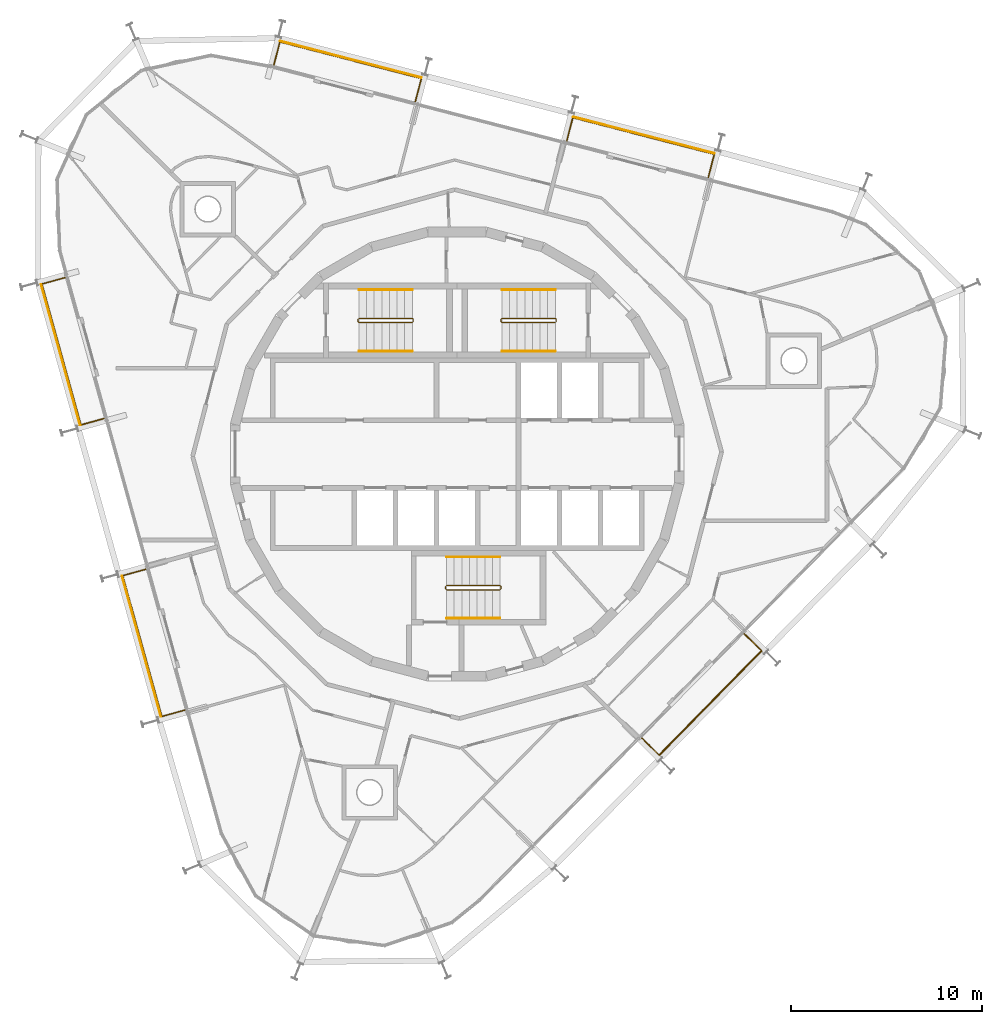
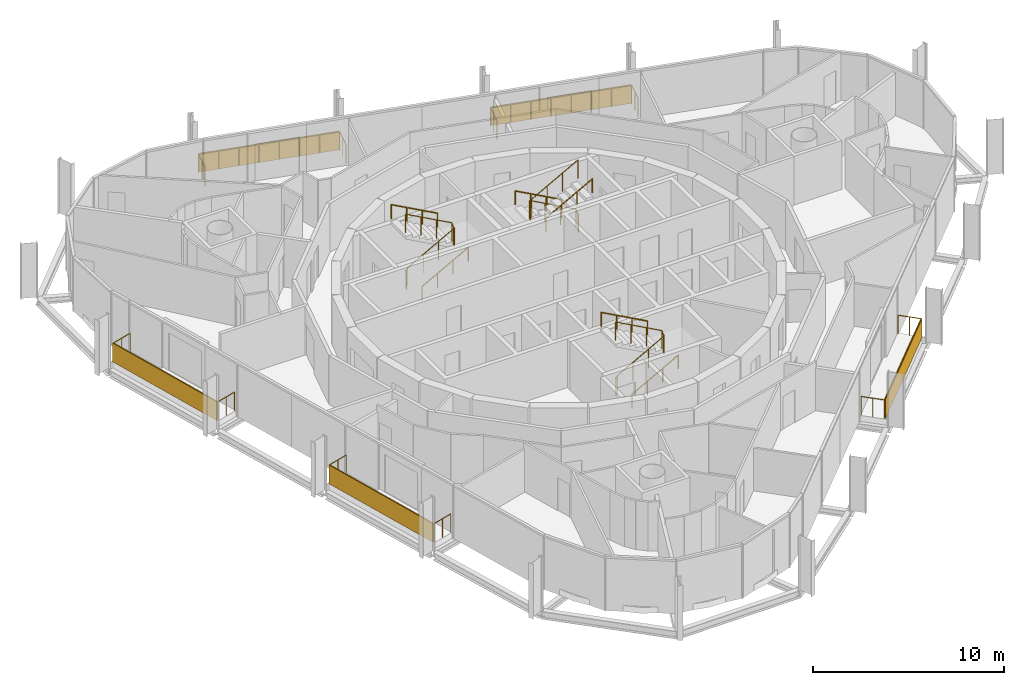
# One storey, part 16 of 16: 14 railings, 5 shading devices.
"""IFC4 building model written with IfcOpenShell, lengths in metres."""

from ifc_helpers import new_model, si_unit, direction, frame, origin, origin_2d, place, context, subcontext, project, spatial, rectangle, circle, extrude, material, layer, layer_set, type_object, element, save


model = new_model("IFC4")

# Units and contexts
model_context = context("Model", 3, precision=1e-05, world=origin(), true_north=direction((0.0, 1.0)))
body_context = subcontext(model_context, "Body", "Model", "MODEL_VIEW")
ifc_project = project(units=[si_unit("LENGTHUNIT", "METRE"), si_unit("AREAUNIT", "SQUARE_METRE"), si_unit("VOLUMEUNIT", "CUBIC_METRE"), si_unit("PLANEANGLEUNIT", "RADIAN"), si_unit("MASSUNIT", "GRAM", prefix="KILO")], contexts=[model_context])

# Site, building, storey
site_placement = place(None, origin())
site = spatial("IfcSite", under=ifc_project, at=site_placement, CompositionType="ELEMENT")
building_placement = place(site_placement, origin())
building = spatial("IfcBuilding", under=site, at=building_placement, Name="Spindle Arch Residences", CompositionType="ELEMENT")
storey_placement = place(building_placement, frame((0.0, 0.0, 301.699951171875)))
storey = spatial("IfcBuildingStorey", under=building, at=storey_placement, Name="L77", CompositionType="ELEMENT", Elevation=301.699951171875)

# Railings
ifc_material_1 = material(Name="Bronze anodised aluminium guard with glass infill", Category="aluminium")
railing_type_1 = type_object("IfcRailingType", Name="Balcony guard 1200", PredefinedType="GUARDRAIL", material=ifc_material_1)
railing_1_placement = place(storey_placement, frame((13.17724609375, 14.517822265625, 0.0)))
element("IfcRailing", 1, at=railing_1_placement, inside=storey, type_object=railing_type_1, Name="Guard L77 bay 6", PredefinedType="GUARDRAIL", context=body_context, shape_type="SweptSolid", body=[
    extrude(circle(Radius=0.02392578125, at=origin_2d()), frame((0.0, 0.0, 1.17578125), z_axis=(0.250385978254, 0.968146095325, 0.0), x_axis=(-0.968146095325, 0.250385978254, 0.0)), (0.0, 0.0, 1.0), 1.25),
    extrude(circle(Radius=0.02392578125, at=origin_2d()), frame((0.31298828125, 1.210205078125, 1.17578125), z_axis=(-0.968154898372, 0.250351937795, 0.0), x_axis=(-0.250351937795, -0.968154898372, 0.0)), (0.0, 0.0, 1.0), 7.6650390625),
    extrude(circle(Radius=0.02392578125, at=origin_2d()), frame((-7.10791015625, 3.129150390625, 1.17578125), z_axis=(-0.250433331774, -0.968133847325, 0.0), x_axis=(0.968133847325, -0.250433331774, 0.0)), (0.0, 0.0, 1.0), 1.249755859375),
    extrude(circle(Radius=0.02099609375, at=origin_2d()), origin(), (0.0, 0.0, 1.0), 1.15185546875),
    extrude(circle(Radius=0.02099609375, at=origin_2d()), frame((0.156494140625, 0.60498046875, 0.0)), (0.0, 0.0, 1.0), 1.15185546875),
    extrude(circle(Radius=0.02099609375, at=origin_2d()), frame((0.31298828125, 1.210205078125, 0.0)), (0.0, 0.0, 1.0), 1.15185546875),
    extrude(circle(Radius=0.02099609375, at=origin_2d()), frame((-0.7470703125, 1.484375, 0.0)), (0.0, 0.0, 1.0), 1.15185546875),
    extrude(circle(Radius=0.02099609375, at=origin_2d()), frame((-1.807373046875, 1.758544921875, 0.0)), (0.0, 0.0, 1.0), 1.15185546875),
    extrude(circle(Radius=0.02099609375, at=origin_2d()), frame((-2.867431640625, 2.03271484375, 0.0)), (0.0, 0.0, 1.0), 1.15185546875),
    extrude(circle(Radius=0.02099609375, at=origin_2d()), frame((-3.927490234375, 2.306640625, 0.0)), (0.0, 0.0, 1.0), 1.15185546875),
    extrude(circle(Radius=0.02099609375, at=origin_2d()), frame((-4.987548828125, 2.580810546875, 0.0)), (0.0, 0.0, 1.0), 1.15185546875),
    extrude(circle(Radius=0.02099609375, at=origin_2d()), frame((-6.0478515625, 2.85498046875, 0.0)), (0.0, 0.0, 1.0), 1.15185546875),
    extrude(circle(Radius=0.02099609375, at=origin_2d()), frame((-7.10791015625, 3.129150390625, 0.0)), (0.0, 0.0, 1.0), 1.15185546875),
    extrude(circle(Radius=0.02099609375, at=origin_2d()), frame((-7.264404296875, 2.524169921875, 0.0)), (0.0, 0.0, 1.0), 1.15185546875),
    extrude(circle(Radius=0.02099609375, at=origin_2d()), frame((-7.4208984375, 1.919189453125, 0.0)), (0.0, 0.0, 1.0), 1.15185546875),
])
railing_2_placement = place(storey_placement, frame((-2.1875, 18.4912109375, 0.0)))
element("IfcRailing", 2, at=railing_2_placement, inside=storey, type_object=railing_type_1, Name="Guard L77 bay 8", PredefinedType="GUARDRAIL", context=body_context, shape_type="SweptSolid", body=[
    extrude(circle(Radius=0.02392578125, at=origin_2d()), frame((0.0, 0.0, 1.17578125), z_axis=(0.250385978254, 0.968146095325, 0.0), x_axis=(-0.968146095325, 0.250385978254, 0.0)), (0.0, 0.0, 1.0), 1.25),
    extrude(circle(Radius=0.02392578125, at=origin_2d()), frame((0.31298828125, 1.210205078125, 1.17578125), z_axis=(-0.968147177851, 0.250381792508, 0.0), x_axis=(-0.250381792508, -0.968147177851, 0.0)), (0.0, 0.0, 1.0), 7.6650390625),
    extrude(circle(Radius=0.02392578125, at=origin_2d()), frame((-7.10791015625, 3.12939453125, 1.17578125), z_axis=(-0.250385978254, -0.968146095325, 0.0), x_axis=(0.968146095325, -0.250385978254, 0.0)), (0.0, 0.0, 1.0), 1.25),
    extrude(circle(Radius=0.02099609375, at=origin_2d()), origin(), (0.0, 0.0, 1.0), 1.15185546875),
    extrude(circle(Radius=0.02099609375, at=origin_2d()), frame((0.156494140625, 0.60498046875, 0.0)), (0.0, 0.0, 1.0), 1.15185546875),
    extrude(circle(Radius=0.02099609375, at=origin_2d()), frame((0.31298828125, 1.210205078125, 0.0)), (0.0, 0.0, 1.0), 1.15185546875),
    extrude(circle(Radius=0.02099609375, at=origin_2d()), frame((-0.7470703125, 1.484375, 0.0)), (0.0, 0.0, 1.0), 1.15185546875),
    extrude(circle(Radius=0.02099609375, at=origin_2d()), frame((-1.807373046875, 1.758544921875, 0.0)), (0.0, 0.0, 1.0), 1.15185546875),
    extrude(circle(Radius=0.02099609375, at=origin_2d()), frame((-2.867431640625, 2.03271484375, 0.0)), (0.0, 0.0, 1.0), 1.15185546875),
    extrude(circle(Radius=0.02099609375, at=origin_2d()), frame((-3.927490234375, 2.306884765625, 0.0)), (0.0, 0.0, 1.0), 1.15185546875),
    extrude(circle(Radius=0.02099609375, at=origin_2d()), frame((-4.987548828125, 2.5810546875, 0.0)), (0.0, 0.0, 1.0), 1.15185546875),
    extrude(circle(Radius=0.02099609375, at=origin_2d()), frame((-6.0478515625, 2.855224609375, 0.0)), (0.0, 0.0, 1.0), 1.15185546875),
    extrude(circle(Radius=0.02099609375, at=origin_2d()), frame((-7.10791015625, 3.12939453125, 0.0)), (0.0, 0.0, 1.0), 1.15185546875),
    extrude(circle(Radius=0.02099609375, at=origin_2d()), frame((-7.264404296875, 2.5244140625, 0.0)), (0.0, 0.0, 1.0), 1.15185546875),
    extrude(circle(Radius=0.02099609375, at=origin_2d()), frame((-7.4208984375, 1.919189453125, 0.0)), (0.0, 0.0, 1.0), 1.15185546875),
])
railing_3_placement = place(storey_placement, frame((-20.574951171875, 9.250732421875, 0.0)))
element("IfcRailing", 3, at=railing_3_placement, inside=storey, type_object=railing_type_1, Name="Guard L77 bay 12", PredefinedType="GUARDRAIL", context=body_context, shape_type="SweptSolid", body=[
    extrude(circle(Radius=0.02392578125, at=origin_2d()), frame((0.0, 0.0, 1.17578125), z_axis=(-0.963596211055, -0.267361818592, 0.0), x_axis=(0.267361818592, -0.963596211055, 0.0)), (0.0, 0.0, 1.0), 1.25),
    extrude(circle(Radius=0.02392578125, at=origin_2d()), frame((-1.20458984375, -0.334228515625, 1.17578125), z_axis=(0.267233148219, -0.963631903007, 0.0), x_axis=(0.963631903007, 0.267233148219, 0.0)), (0.0, 0.0, 1.0), 7.6650390625),
    extrude(circle(Radius=0.02392578125, at=origin_2d()), frame((0.84375, -7.720458984375, 1.17578125), z_axis=(0.963646510798, 0.267180467526, 0.0), x_axis=(-0.267180467526, 0.963646510798, 0.0)), (0.0, 0.0, 1.0), 1.25),
    extrude(circle(Radius=0.02099609375, at=origin_2d()), origin(), (0.0, 0.0, 1.0), 1.15185546875),
    extrude(circle(Radius=0.02099609375, at=origin_2d()), frame((-0.602294921875, -0.1669921875, 0.0)), (0.0, 0.0, 1.0), 1.15185546875),
    extrude(circle(Radius=0.02099609375, at=origin_2d()), frame((-1.20458984375, -0.334228515625, 0.0)), (0.0, 0.0, 1.0), 1.15185546875),
    extrude(circle(Radius=0.02099609375, at=origin_2d()), frame((-0.911865234375, -1.389404296875, 0.0)), (0.0, 0.0, 1.0), 1.15185546875),
    extrude(circle(Radius=0.02099609375, at=origin_2d()), frame((-0.619384765625, -2.444580078125, 0.0)), (0.0, 0.0, 1.0), 1.15185546875),
    extrude(circle(Radius=0.02099609375, at=origin_2d()), frame((-0.32666015625, -3.499755859375, 0.0)), (0.0, 0.0, 1.0), 1.15185546875),
    extrude(circle(Radius=0.02099609375, at=origin_2d()), frame((-0.0341796875, -4.554931640625, 0.0)), (0.0, 0.0, 1.0), 1.15185546875),
    extrude(circle(Radius=0.02099609375, at=origin_2d()), frame((0.258544921875, -5.610107421875, 0.0)), (0.0, 0.0, 1.0), 1.15185546875),
    extrude(circle(Radius=0.02099609375, at=origin_2d()), frame((0.551025390625, -6.665283203125, 0.0)), (0.0, 0.0, 1.0), 1.15185546875),
    extrude(circle(Radius=0.02099609375, at=origin_2d()), frame((0.84375, -7.720458984375, 0.0)), (0.0, 0.0, 1.0), 1.15185546875),
    extrude(circle(Radius=0.02099609375, at=origin_2d()), frame((1.446044921875, -7.553466796875, 0.0)), (0.0, 0.0, 1.0), 1.15185546875),
    extrude(circle(Radius=0.02099609375, at=origin_2d()), frame((2.04833984375, -7.386474609375, 0.0)), (0.0, 0.0, 1.0), 1.15185546875),
])
railing_4_placement = place(storey_placement, frame((-16.333984375, -6.042236328125, 0.0)))
element("IfcRailing", 4, at=railing_4_placement, inside=storey, type_object=railing_type_1, Name="Guard L77 bay 14", PredefinedType="GUARDRAIL", context=body_context, shape_type="SweptSolid", body=[
    extrude(circle(Radius=0.02392578125, at=origin_2d()), frame((0.0, 0.0, 1.17578125), z_axis=(-0.963596211055, -0.267361818592, 0.0), x_axis=(0.267361818592, -0.963596211055, 0.0)), (0.0, 0.0, 1.0), 1.25),
    extrude(circle(Radius=0.02392578125, at=origin_2d()), frame((-1.20458984375, -0.334228515625, 1.17578125), z_axis=(0.267262724609, -0.963623700432, 0.0), x_axis=(0.963623700432, 0.267262724609, 0.0)), (0.0, 0.0, 1.0), 7.6650390625),
    extrude(circle(Radius=0.02392578125, at=origin_2d()), frame((0.843994140625, -7.720458984375, 1.17578125), z_axis=(0.963632564766, 0.26723076193, 0.0), x_axis=(-0.26723076193, 0.963632564766, 0.0)), (0.0, 0.0, 1.0), 1.249755859375),
    extrude(circle(Radius=0.02099609375, at=origin_2d()), origin(), (0.0, 0.0, 1.0), 1.15185546875),
    extrude(circle(Radius=0.02099609375, at=origin_2d()), frame((-0.602294921875, -0.1669921875, 0.0)), (0.0, 0.0, 1.0), 1.15185546875),
    extrude(circle(Radius=0.02099609375, at=origin_2d()), frame((-1.20458984375, -0.334228515625, 0.0)), (0.0, 0.0, 1.0), 1.15185546875),
    extrude(circle(Radius=0.02099609375, at=origin_2d()), frame((-0.911865234375, -1.389404296875, 0.0)), (0.0, 0.0, 1.0), 1.15185546875),
    extrude(circle(Radius=0.02099609375, at=origin_2d()), frame((-0.619384765625, -2.444580078125, 0.0)), (0.0, 0.0, 1.0), 1.15185546875),
    extrude(circle(Radius=0.02099609375, at=origin_2d()), frame((-0.32666015625, -3.499755859375, 0.0)), (0.0, 0.0, 1.0), 1.15185546875),
    extrude(circle(Radius=0.02099609375, at=origin_2d()), frame((-0.033935546875, -4.554931640625, 0.0)), (0.0, 0.0, 1.0), 1.15185546875),
    extrude(circle(Radius=0.02099609375, at=origin_2d()), frame((0.2587890625, -5.610107421875, 0.0)), (0.0, 0.0, 1.0), 1.15185546875),
    extrude(circle(Radius=0.02099609375, at=origin_2d()), frame((0.55126953125, -6.665283203125, 0.0)), (0.0, 0.0, 1.0), 1.15185546875),
    extrude(circle(Radius=0.02099609375, at=origin_2d()), frame((0.843994140625, -7.720458984375, 0.0)), (0.0, 0.0, 1.0), 1.15185546875),
    extrude(circle(Radius=0.02099609375, at=origin_2d()), frame((1.4462890625, -7.553466796875, 0.0)), (0.0, 0.0, 1.0), 1.15185546875),
    extrude(circle(Radius=0.02099609375, at=origin_2d()), frame((2.04833984375, -7.386474609375, 0.0)), (0.0, 0.0, 1.0), 1.15185546875),
])
railing_5_placement = place(storey_placement, frame((9.69189453125, -14.8974609375, 0.0)))
element("IfcRailing", 5, at=railing_5_placement, inside=storey, type_object=railing_type_1, Name="Guard L77 bay 20", PredefinedType="GUARDRAIL", context=body_context, shape_type="SweptSolid", body=[
    extrude(circle(Radius=0.02392578125, at=origin_2d()), frame((0.0, 0.0, 1.17578125), z_axis=(0.713231937859, -0.700928101034, 0.0), x_axis=(0.700928101034, 0.713231937859, 0.0)), (0.0, 0.0, 1.0), 1.25),
    extrude(circle(Radius=0.02392578125, at=origin_2d()), frame((0.8916015625, -0.876220703125, 1.17578125), z_axis=(0.700916720912, 0.713243121485, 0.0), x_axis=(-0.713243121485, 0.700916720912, 0.0)), (0.0, 0.0, 1.0), 7.6650390625),
    extrude(circle(Radius=0.02392578125, at=origin_2d()), frame((6.26416015625, 4.5908203125, 1.17578125), z_axis=(-0.713231937859, 0.700928101034, 0.0), x_axis=(-0.700928101034, -0.713231937859, 0.0)), (0.0, 0.0, 1.0), 1.25),
    extrude(circle(Radius=0.02099609375, at=origin_2d()), origin(), (0.0, 0.0, 1.0), 1.15185546875),
    extrude(circle(Radius=0.02099609375, at=origin_2d()), frame((0.44580078125, -0.43798828125, 0.0)), (0.0, 0.0, 1.0), 1.15185546875),
    extrude(circle(Radius=0.02099609375, at=origin_2d()), frame((0.8916015625, -0.876220703125, 0.0)), (0.0, 0.0, 1.0), 1.15185546875),
    extrude(circle(Radius=0.02099609375, at=origin_2d()), frame((1.6591796875, -0.09521484375, 0.0)), (0.0, 0.0, 1.0), 1.15185546875),
    extrude(circle(Radius=0.02099609375, at=origin_2d()), frame((2.426513671875, 0.685791015625, 0.0)), (0.0, 0.0, 1.0), 1.15185546875),
    extrude(circle(Radius=0.02099609375, at=origin_2d()), frame((3.194091796875, 1.466796875, 0.0)), (0.0, 0.0, 1.0), 1.15185546875),
    extrude(circle(Radius=0.02099609375, at=origin_2d()), frame((3.961669921875, 2.247802734375, 0.0)), (0.0, 0.0, 1.0), 1.15185546875),
    extrude(circle(Radius=0.02099609375, at=origin_2d()), frame((4.729248046875, 3.02880859375, 0.0)), (0.0, 0.0, 1.0), 1.15185546875),
    extrude(circle(Radius=0.02099609375, at=origin_2d()), frame((5.49658203125, 3.809814453125, 0.0)), (0.0, 0.0, 1.0), 1.15185546875),
    extrude(circle(Radius=0.02099609375, at=origin_2d()), frame((6.26416015625, 4.5908203125, 0.0)), (0.0, 0.0, 1.0), 1.15185546875),
    extrude(circle(Radius=0.02099609375, at=origin_2d()), frame((5.818359375, 5.02880859375, 0.0)), (0.0, 0.0, 1.0), 1.15185546875),
    extrude(circle(Radius=0.02099609375, at=origin_2d()), frame((5.37255859375, 5.467041015625, 0.0)), (0.0, 0.0, 1.0), 1.15185546875),
])

# Shading devices
ifc_material_2 = material(Name="Bronze perforated cobogo screen")
ifc_layer = layer(ifc_material_2, 0.0390625)
ifc_layer_set = layer_set([ifc_layer], Name="Cobogo screen 1200")
shading_device_type = type_object("IfcShadingDeviceType", Name="Cobogo screen 1200", PredefinedType="USERDEFINED", material=ifc_layer_set)
for number, where, z_axis, x_axis, name in (
    (6, (9.7900390625, 16.726806640625, 0.0), (0.0, 0.0, 1.0), (-0.968147640378, 0.250380004054, 0.0), "Cobogo screen L77 bay 6"),
    (7, (-5.57470703125, 20.7001953125, 0.0), (0.0, 0.0, 1.0), (-0.968147640378, 0.250380004054, 0.0), "Cobogo screen L77 bay 8"),
    (8, (-20.79443359375, 5.212646484375, 0.0), (0.0, 0.0, 1.0), (0.267238376078, -0.963630453209, 0.0), "Cobogo screen L77 bay 12"),
    (9, (-16.55322265625, -10.080322265625, 0.0), (0.0, 0.0, 1.0), (0.267238376078, -0.963630453209, 0.0), "Cobogo screen L77 bay 14"),
    (10, (13.298583984375, -13.068603515625, 0.0), (0.0, 0.0, 1.0), (0.7009092643, 0.713250449154, 0.0), "Cobogo screen L77 bay 20"),
):
    element("IfcShadingDevice", number, at=place(storey_placement, frame(where, z_axis=z_axis, x_axis=x_axis)), inside=storey, type_object=shading_device_type, Name=name, ObjectType="SCREEN", PredefinedType="USERDEFINED", context=body_context, shape_type="SweptSolid", body=[
        extrude(rectangle(XDim=7.6650390625, YDim=0.0390625, at=origin_2d()), origin(), (0.0, 0.0, 1.0), 1.199951171875),
    ])

# Railings
ifc_material_3 = material(Name="Steel, painted", Category="steel")
railing_type_2 = type_object("IfcRailingType", Name="Stair guard 1100", PredefinedType="GUARDRAIL", material=ifc_material_3)
railing_6_placement = place(storey_placement, frame((5.14990234375, 6.89990234375, 3.5)))
element("IfcRailing", 11, at=railing_6_placement, inside=storey, type_object=railing_type_2, Name="L77 ST1 stair guard 1", PredefinedType="GUARDRAIL", context=body_context, shape_type="SweptSolid", body=[
    extrude(circle(Radius=0.02392578125, at=origin_2d()), frame((0.0, 0.0, 1.17578125), z_axis=(-0.877357048833, 0.0, -0.479838106931), x_axis=(0.0, -1.0, 0.0)), (0.0, 0.0, 1.0), 3.191162109375),
    extrude(circle(Radius=0.02392578125, at=origin_2d()), frame((-2.7998046875, 0.0, -0.35546875), z_axis=(-0.217683172539, 0.217683172539, -0.951434744366), x_axis=(-0.707106781187, -0.707106781187, 0.0)), (0.0, 0.0, 1.0), 0.22998046875),
    extrude(circle(Radius=0.02392578125, at=origin_2d()), frame((-2.849853515625, 0.050048828125, -0.57421875), z_axis=(0.0, 1.0, 0.0), x_axis=(-1.0, 0.0, 0.0)), (0.0, 0.0, 1.0), 0.1201171875),
    extrude(circle(Radius=0.02392578125, at=origin_2d()), frame((-2.849853515625, 0.170166015625, -0.57421875), z_axis=(0.707106781187, 0.707106781187, 0.0), x_axis=(-0.707106781187, 0.707106781187, 0.0)), (0.0, 0.0, 1.0), 0.07080078125),
    extrude(circle(Radius=0.02392578125, at=origin_2d()), frame((-2.7998046875, 0.22021484375, -0.57421875), z_axis=(0.877357048833, 0.0, -0.479838106931), x_axis=(0.0, 1.0, 0.0)), (0.0, 0.0, 1.0), 3.191162109375),
    extrude(circle(Radius=0.02392578125, at=origin_2d()), frame((0.0, 0.22021484375, -2.10546875), z_axis=(0.217683172539, -0.217683172539, -0.951434744366), x_axis=(0.707106781187, 0.707106781187, 0.0)), (0.0, 0.0, 1.0), 0.22998046875),
    extrude(circle(Radius=0.02392578125, at=origin_2d()), frame((0.050048828125, 0.170166015625, -2.32421875), z_axis=(0.0, -1.0, 0.0), x_axis=(1.0, 0.0, 0.0)), (0.0, 0.0, 1.0), 0.1201171875),
    extrude(circle(Radius=0.02099609375, at=origin_2d()), origin(), (0.0, 0.0, 1.0), 1.15185546875),
    extrude(circle(Radius=0.02099609375, at=origin_2d()), frame((-0.933349609375, 0.0, -0.510498046875)), (0.0, 0.0, 1.0), 1.15185546875),
    extrude(circle(Radius=0.02099609375, at=origin_2d()), frame((-1.866455078125, 0.0, -1.020751953125)), (0.0, 0.0, 1.0), 1.15185546875),
    extrude(circle(Radius=0.02099609375, at=origin_2d()), frame((-2.7998046875, 0.0, -1.53125)), (0.0, 0.0, 1.0), 1.15185546875),
    extrude(circle(Radius=0.02099609375, at=origin_2d()), frame((-2.849853515625, 0.050048828125, -1.75)), (0.0, 0.0, 1.0), 1.15185546875),
    extrude(circle(Radius=0.02099609375, at=origin_2d()), frame((-2.849853515625, 0.170166015625, -1.75)), (0.0, 0.0, 1.0), 1.15185546875),
    extrude(circle(Radius=0.02099609375, at=origin_2d()), frame((-2.7998046875, 0.22021484375, -1.75)), (0.0, 0.0, 1.0), 1.15185546875),
    extrude(circle(Radius=0.02099609375, at=origin_2d()), frame((-1.866455078125, 0.22021484375, -2.260498046875)), (0.0, 0.0, 1.0), 1.15185546875),
    extrude(circle(Radius=0.02099609375, at=origin_2d()), frame((-0.933349609375, 0.22021484375, -2.770751953125)), (0.0, 0.0, 1.0), 1.15185546875),
    extrude(circle(Radius=0.02099609375, at=origin_2d()), frame((0.0, 0.22021484375, -3.28125)), (0.0, 0.0, 1.0), 1.15185546875),
    extrude(circle(Radius=0.02099609375, at=origin_2d()), frame((0.050048828125, 0.170166015625, -3.5)), (0.0, 0.0, 1.0), 1.15185546875),
    extrude(circle(Radius=0.02099609375, at=origin_2d()), frame((0.050048828125, 0.050048828125, -3.5)), (0.0, 0.0, 1.0), 1.15185546875),
])
railing_7_placement = place(storey_placement, frame((-5.14990234375, 7.1201171875, 3.5)))
element("IfcRailing", 12, at=railing_7_placement, inside=storey, type_object=railing_type_2, Name="L77 ST2 stair guard 1", PredefinedType="GUARDRAIL", context=body_context, shape_type="SweptSolid", body=[
    extrude(circle(Radius=0.02392578125, at=origin_2d()), frame((0.0, 0.0, 1.17578125), z_axis=(0.877357048833, 0.0, -0.479838106931), x_axis=(0.0, 1.0, 0.0)), (0.0, 0.0, 1.0), 3.191162109375),
    extrude(circle(Radius=0.02392578125, at=origin_2d()), frame((2.7998046875, 0.0, -0.35546875), z_axis=(0.217683172539, -0.217683172539, -0.951434744366), x_axis=(0.707106781187, 0.707106781187, 0.0)), (0.0, 0.0, 1.0), 0.22998046875),
    extrude(circle(Radius=0.02392578125, at=origin_2d()), frame((2.849853515625, -0.050048828125, -0.57421875), z_axis=(0.0, -1.0, 0.0), x_axis=(1.0, 0.0, 0.0)), (0.0, 0.0, 1.0), 0.1201171875),
    extrude(circle(Radius=0.02392578125, at=origin_2d()), frame((2.849853515625, -0.170166015625, -0.57421875), z_axis=(-0.707106781187, -0.707106781187, 0.0), x_axis=(0.707106781187, -0.707106781187, 0.0)), (0.0, 0.0, 1.0), 0.07080078125),
    extrude(circle(Radius=0.02392578125, at=origin_2d()), frame((2.7998046875, -0.22021484375, -0.57421875), z_axis=(-0.877357048833, 0.0, -0.479838106931), x_axis=(0.0, -1.0, 0.0)), (0.0, 0.0, 1.0), 3.191162109375),
    extrude(circle(Radius=0.02392578125, at=origin_2d()), frame((0.0, -0.22021484375, -2.10546875), z_axis=(-0.217683172539, 0.217683172539, -0.951434744366), x_axis=(-0.707106781187, -0.707106781187, 0.0)), (0.0, 0.0, 1.0), 0.22998046875),
    extrude(circle(Radius=0.02392578125, at=origin_2d()), frame((-0.050048828125, -0.170166015625, -2.32421875), z_axis=(0.0, 1.0, 0.0), x_axis=(-1.0, 0.0, 0.0)), (0.0, 0.0, 1.0), 0.1201171875),
    extrude(circle(Radius=0.02099609375, at=origin_2d()), origin(), (0.0, 0.0, 1.0), 1.15185546875),
    extrude(circle(Radius=0.02099609375, at=origin_2d()), frame((0.933349609375, 0.0, -0.510498046875)), (0.0, 0.0, 1.0), 1.15185546875),
    extrude(circle(Radius=0.02099609375, at=origin_2d()), frame((1.866455078125, 0.0, -1.020751953125)), (0.0, 0.0, 1.0), 1.15185546875),
    extrude(circle(Radius=0.02099609375, at=origin_2d()), frame((2.7998046875, 0.0, -1.53125)), (0.0, 0.0, 1.0), 1.15185546875),
    extrude(circle(Radius=0.02099609375, at=origin_2d()), frame((2.849853515625, -0.050048828125, -1.75)), (0.0, 0.0, 1.0), 1.15185546875),
    extrude(circle(Radius=0.02099609375, at=origin_2d()), frame((2.849853515625, -0.170166015625, -1.75)), (0.0, 0.0, 1.0), 1.15185546875),
    extrude(circle(Radius=0.02099609375, at=origin_2d()), frame((2.7998046875, -0.22021484375, -1.75)), (0.0, 0.0, 1.0), 1.15185546875),
    extrude(circle(Radius=0.02099609375, at=origin_2d()), frame((1.866455078125, -0.22021484375, -2.260498046875)), (0.0, 0.0, 1.0), 1.15185546875),
    extrude(circle(Radius=0.02099609375, at=origin_2d()), frame((0.933349609375, -0.22021484375, -2.770751953125)), (0.0, 0.0, 1.0), 1.15185546875),
    extrude(circle(Radius=0.02099609375, at=origin_2d()), frame((0.0, -0.22021484375, -3.28125)), (0.0, 0.0, 1.0), 1.15185546875),
    extrude(circle(Radius=0.02099609375, at=origin_2d()), frame((-0.050048828125, -0.170166015625, -3.5)), (0.0, 0.0, 1.0), 1.15185546875),
    extrude(circle(Radius=0.02099609375, at=origin_2d()), frame((-0.050048828125, -0.050048828125, -3.5)), (0.0, 0.0, 1.0), 1.15185546875),
])
railing_8_placement = place(storey_placement, frame((-0.550048828125, -6.89990234375, 3.5)))
element("IfcRailing", 13, at=railing_8_placement, inside=storey, type_object=railing_type_2, Name="L77 ST3 stair guard 1", PredefinedType="GUARDRAIL", context=body_context, shape_type="SweptSolid", body=[
    extrude(circle(Radius=0.02392578125, at=origin_2d()), frame((0.0, 0.0, 1.17578125), z_axis=(0.877374661878, 0.0, -0.479805901063), x_axis=(0.0, 1.0, 0.0)), (0.0, 0.0, 1.0), 3.19140625),
    extrude(circle(Radius=0.02392578125, at=origin_2d()), frame((2.800048828125, 0.0, -0.35546875), z_axis=(0.217683172539, -0.217683172539, -0.951434744366), x_axis=(0.707106781187, 0.707106781187, 0.0)), (0.0, 0.0, 1.0), 0.22998046875),
    extrude(circle(Radius=0.02392578125, at=origin_2d()), frame((2.85009765625, -0.050048828125, -0.57421875), z_axis=(0.0, -1.0, 0.0), x_axis=(1.0, 0.0, 0.0)), (0.0, 0.0, 1.0), 0.1201171875),
    extrude(circle(Radius=0.02392578125, at=origin_2d()), frame((2.85009765625, -0.170166015625, -0.57421875), z_axis=(-0.707106781187, -0.707106781187, 0.0), x_axis=(0.707106781187, -0.707106781187, 0.0)), (0.0, 0.0, 1.0), 0.07080078125),
    extrude(circle(Radius=0.02392578125, at=origin_2d()), frame((2.800048828125, -0.22021484375, -0.57421875), z_axis=(-0.877374661878, 0.0, -0.479805901063), x_axis=(0.0, -1.0, 0.0)), (0.0, 0.0, 1.0), 3.19140625),
    extrude(circle(Radius=0.02392578125, at=origin_2d()), frame((0.0, -0.22021484375, -2.10546875), z_axis=(-0.217683172539, 0.217683172539, -0.951434744366), x_axis=(-0.707106781187, -0.707106781187, 0.0)), (0.0, 0.0, 1.0), 0.22998046875),
    extrude(circle(Radius=0.02392578125, at=origin_2d()), frame((-0.050048828125, -0.170166015625, -2.32421875), z_axis=(0.0, 1.0, 0.0), x_axis=(-1.0, 0.0, 0.0)), (0.0, 0.0, 1.0), 0.1201171875),
    extrude(circle(Radius=0.02099609375, at=origin_2d()), origin(), (0.0, 0.0, 1.0), 1.15185546875),
    extrude(circle(Radius=0.02099609375, at=origin_2d()), frame((0.933349609375, 0.0, -0.510498046875)), (0.0, 0.0, 1.0), 1.15185546875),
    extrude(circle(Radius=0.02099609375, at=origin_2d()), frame((1.86669921875, 0.0, -1.020751953125)), (0.0, 0.0, 1.0), 1.15185546875),
    extrude(circle(Radius=0.02099609375, at=origin_2d()), frame((2.800048828125, 0.0, -1.53125)), (0.0, 0.0, 1.0), 1.15185546875),
    extrude(circle(Radius=0.02099609375, at=origin_2d()), frame((2.85009765625, -0.050048828125, -1.75)), (0.0, 0.0, 1.0), 1.15185546875),
    extrude(circle(Radius=0.02099609375, at=origin_2d()), frame((2.85009765625, -0.170166015625, -1.75)), (0.0, 0.0, 1.0), 1.15185546875),
    extrude(circle(Radius=0.02099609375, at=origin_2d()), frame((2.800048828125, -0.22021484375, -1.75)), (0.0, 0.0, 1.0), 1.15185546875),
    extrude(circle(Radius=0.02099609375, at=origin_2d()), frame((1.86669921875, -0.22021484375, -2.260498046875)), (0.0, 0.0, 1.0), 1.15185546875),
    extrude(circle(Radius=0.02099609375, at=origin_2d()), frame((0.933349609375, -0.22021484375, -2.770751953125)), (0.0, 0.0, 1.0), 1.15185546875),
    extrude(circle(Radius=0.02099609375, at=origin_2d()), frame((0.0, -0.22021484375, -3.28125)), (0.0, 0.0, 1.0), 1.15185546875),
    extrude(circle(Radius=0.02099609375, at=origin_2d()), frame((-0.050048828125, -0.170166015625, -3.5)), (0.0, 0.0, 1.0), 1.15185546875),
    extrude(circle(Radius=0.02099609375, at=origin_2d()), frame((-0.050048828125, -0.050048828125, -3.5)), (0.0, 0.0, 1.0), 1.15185546875),
])
ifc_material_4 = material(Name="Steel, painted", Category="steel")
railing_type_3 = type_object("IfcRailingType", Name="Stair handrail 900", PredefinedType="HANDRAIL", material=ifc_material_4)
railing_9_placement = place(storey_placement, frame((5.14990234375, 8.6201171875, 0.21875)))
element("IfcRailing", 14, at=railing_9_placement, inside=storey, type_object=railing_type_3, Name="L77 ST1 stair handrail 1", PredefinedType="HANDRAIL", context=body_context, shape_type="SweptSolid", body=[
    extrude(circle(Radius=0.02392578125, at=origin_2d()), frame((0.0, 0.0, 0.8759765625), z_axis=(-0.877357048833, 0.0, 0.479838106931), x_axis=(0.0, -1.0, 0.0)), (0.0, 0.0, 1.0), 3.191162109375),
    extrude(circle(Radius=0.02099609375, at=origin_2d()), origin(), (0.0, 0.0, 1.0), 0.851806640625),
    extrude(circle(Radius=0.02099609375, at=origin_2d()), frame((-0.933349609375, 0.0, 0.510498046875)), (0.0, 0.0, 1.0), 0.851806640625),
    extrude(circle(Radius=0.02099609375, at=origin_2d()), frame((-1.866455078125, 0.0, 1.020751953125)), (0.0, 0.0, 1.0), 0.851806640625),
    extrude(circle(Radius=0.02099609375, at=origin_2d()), frame((-2.7998046875, 0.0, 1.53125)), (0.0, 0.0, 1.0), 0.851806640625),
])
for number, where, name in (
    (15, (2.35009765625, 5.39990234375, 1.96875), "L77 ST1 stair handrail 2"),
    (16, (-5.14990234375, 5.39990234375, 0.21875), "L77 ST2 stair handrail 1"),
):
    element("IfcRailing", number, at=place(storey_placement, frame(where)), inside=storey, type_object=railing_type_3, Name=name, PredefinedType="HANDRAIL", context=body_context, shape_type="SweptSolid", body=[
        extrude(circle(Radius=0.02392578125, at=origin_2d()), frame((0.0, 0.0, 0.8759765625), z_axis=(0.877357048833, 0.0, 0.479838106931), x_axis=(0.0, 1.0, 0.0)), (0.0, 0.0, 1.0), 3.191162109375),
        extrude(circle(Radius=0.02099609375, at=origin_2d()), origin(), (0.0, 0.0, 1.0), 0.851806640625),
        extrude(circle(Radius=0.02099609375, at=origin_2d()), frame((0.933349609375, 0.0, 0.510498046875)), (0.0, 0.0, 1.0), 0.851806640625),
        extrude(circle(Radius=0.02099609375, at=origin_2d()), frame((1.866455078125, 0.0, 1.020751953125)), (0.0, 0.0, 1.0), 0.851806640625),
        extrude(circle(Radius=0.02099609375, at=origin_2d()), frame((2.7998046875, 0.0, 1.53125)), (0.0, 0.0, 1.0), 0.851806640625),
    ])
railing_10_placement = place(storey_placement, frame((-2.35009765625, 8.6201171875, 1.96875)))
element("IfcRailing", 17, at=railing_10_placement, inside=storey, type_object=railing_type_3, Name="L77 ST2 stair handrail 2", PredefinedType="HANDRAIL", context=body_context, shape_type="SweptSolid", body=[
    extrude(circle(Radius=0.02392578125, at=origin_2d()), frame((0.0, 0.0, 0.8759765625), z_axis=(-0.877357048833, 0.0, 0.479838106931), x_axis=(0.0, -1.0, 0.0)), (0.0, 0.0, 1.0), 3.191162109375),
    extrude(circle(Radius=0.02099609375, at=origin_2d()), origin(), (0.0, 0.0, 1.0), 0.851806640625),
    extrude(circle(Radius=0.02099609375, at=origin_2d()), frame((-0.933349609375, 0.0, 0.510498046875)), (0.0, 0.0, 1.0), 0.851806640625),
    extrude(circle(Radius=0.02099609375, at=origin_2d()), frame((-1.866455078125, 0.0, 1.020751953125)), (0.0, 0.0, 1.0), 0.851806640625),
    extrude(circle(Radius=0.02099609375, at=origin_2d()), frame((-2.7998046875, 0.0, 1.53125)), (0.0, 0.0, 1.0), 0.851806640625),
])
railing_11_placement = place(storey_placement, frame((-0.550048828125, -8.6201171875, 0.21875)))
element("IfcRailing", 18, at=railing_11_placement, inside=storey, type_object=railing_type_3, Name="L77 ST3 stair handrail 1", PredefinedType="HANDRAIL", context=body_context, shape_type="SweptSolid", body=[
    extrude(circle(Radius=0.02392578125, at=origin_2d()), frame((0.0, 0.0, 0.8759765625), z_axis=(0.877374661878, 0.0, 0.479805901063), x_axis=(0.0, 1.0, 0.0)), (0.0, 0.0, 1.0), 3.19140625),
    extrude(circle(Radius=0.02099609375, at=origin_2d()), origin(), (0.0, 0.0, 1.0), 0.851806640625),
    extrude(circle(Radius=0.02099609375, at=origin_2d()), frame((0.933349609375, 0.0, 0.510498046875)), (0.0, 0.0, 1.0), 0.851806640625),
    extrude(circle(Radius=0.02099609375, at=origin_2d()), frame((1.86669921875, 0.0, 1.020751953125)), (0.0, 0.0, 1.0), 0.851806640625),
    extrude(circle(Radius=0.02099609375, at=origin_2d()), frame((2.800048828125, 0.0, 1.53125)), (0.0, 0.0, 1.0), 0.851806640625),
])
railing_12_placement = place(storey_placement, frame((2.25, -5.39990234375, 1.96875)))
element("IfcRailing", 19, at=railing_12_placement, inside=storey, type_object=railing_type_3, Name="L77 ST3 stair handrail 2", PredefinedType="HANDRAIL", context=body_context, shape_type="SweptSolid", body=[
    extrude(circle(Radius=0.02392578125, at=origin_2d()), frame((0.0, 0.0, 0.8759765625), z_axis=(-0.877374661878, 0.0, 0.479805901063), x_axis=(0.0, -1.0, 0.0)), (0.0, 0.0, 1.0), 3.19140625),
    extrude(circle(Radius=0.02099609375, at=origin_2d()), origin(), (0.0, 0.0, 1.0), 0.851806640625),
    extrude(circle(Radius=0.02099609375, at=origin_2d()), frame((-0.933349609375, 0.0, 0.510498046875)), (0.0, 0.0, 1.0), 0.851806640625),
    extrude(circle(Radius=0.02099609375, at=origin_2d()), frame((-1.86669921875, 0.0, 1.020751953125)), (0.0, 0.0, 1.0), 0.851806640625),
    extrude(circle(Radius=0.02099609375, at=origin_2d()), frame((-2.800048828125, 0.0, 1.53125)), (0.0, 0.0, 1.0), 0.851806640625),
])

save(model, "model.ifc")
